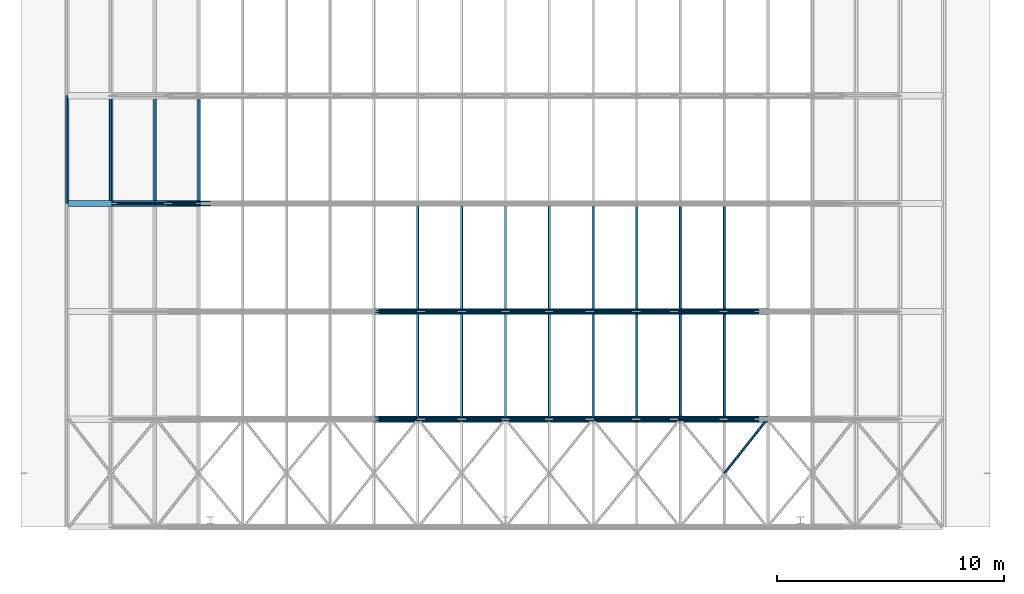
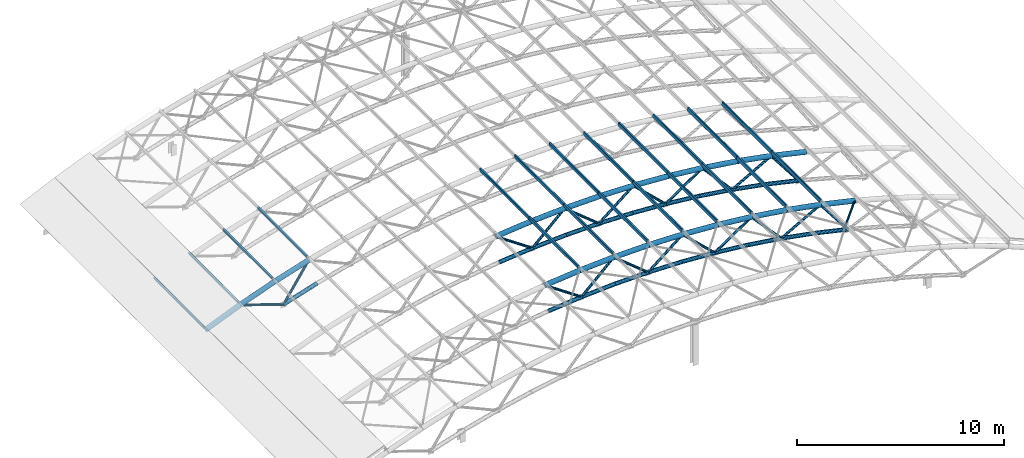
# One storey, part 3 of 22: 81 members.
"""IFC4 building model written with IfcOpenShell, lengths in metres."""

import ifcopenshell
import ifcopenshell.guid

model = None  # the IFC model being written
_history = None  # IfcOwnerHistory: only IFC2X3 demands one
_inside = {}  # id of a spatial element -> (the spatial element, [elements in it])
_under = {}  # id of a project, library or spatial element -> (it, [spatial elements below it])
_declared = {}  # id of a project -> (the project, [libraries it declares])
_typed = {}  # id of a type object -> (the type object, [elements of that type])
_made_of = {}  # id of a material, layer set ... -> (it, [elements and type objects made of it])


def new_model(schema):
    """Start an empty IFC model of exactly this schema.

    Asked for "IFC4X3", IfcOpenShell would pick the latest addendum, in which some entities
    have other attributes; the version numbers below select the first issue.
    IFC2X3 requires an IfcOwnerHistory on every rooted entity: one is made here for all.
    """
    global model, _history
    if schema == "IFC4X3":
        model = ifcopenshell.file(schema_version=(4, 3, 0, 0))
    else:
        model = ifcopenshell.file(schema=schema)
    _inside.clear()
    _under.clear()
    _declared.clear()
    _typed.clear()
    _made_of.clear()
    _history = None
    if model.schema == "IFC2X3":
        org = make("IfcOrganization", Name="unknown")
        user = make(
            "IfcPersonAndOrganization",
            ThePerson=make("IfcPerson", FamilyName="unknown"),
            TheOrganization=org,
        )
        app = make(
            "IfcApplication",
            ApplicationDeveloper=org,
            Version="unknown",
            ApplicationFullName="unknown",
            ApplicationIdentifier="unknown",
        )
        _history = make(
            "IfcOwnerHistory",
            OwningUser=user,
            OwningApplication=app,
            ChangeAction="ADDED",
            CreationDate=0,
        )
    return model


def make(cls, **values):
    """One entity of the class cls with the attributes given. An attribute that is None is left unset."""
    return model.create_entity(
        cls, **{name: value for name, value in values.items() if value is not None}
    )


def rooted(cls, **values):
    """An entity with a GlobalId (a new one), such as an element, a storey or a relation."""
    return make(cls, GlobalId=ifcopenshell.guid.new(), OwnerHistory=_history, **values)


def si_unit(unit_type, name, prefix=None):
    """IfcSIUnit, for example si_unit("LENGTHUNIT", "METRE", prefix="MILLI")."""
    return make("IfcSIUnit", UnitType=unit_type, Prefix=prefix, Name=name)


def assignment(units):
    """IfcUnitAssignment: the units of a project."""
    return None if units is None else make("IfcUnitAssignment", Units=units)


def point(xyz):
    """IfcCartesianPoint."""
    return None if xyz is None else make("IfcCartesianPoint", Coordinates=xyz)


def direction(xyz):
    """IfcDirection."""
    return None if xyz is None else make("IfcDirection", DirectionRatios=xyz)


def frame(location, z_axis=None, x_axis=None):
    """IfcAxis2Placement3D, a coordinate frame: its origin and axes. An axis left out is left unset."""
    return make(
        "IfcAxis2Placement3D",
        Location=point(location),
        Axis=direction(z_axis),
        RefDirection=direction(x_axis),
    )


def frame_2d(location, x_axis=None):
    """IfcAxis2Placement2D, a coordinate frame in the plane: its origin and x axis."""
    return make(
        "IfcAxis2Placement2D", Location=point(location), RefDirection=direction(x_axis)
    )


def origin():
    """The frame at (0, 0, 0) with its axes left unset."""
    return frame((0.0, 0.0, 0.0))


def origin_2d():
    """The frame at (0, 0) in the plane with its x axis left unset."""
    return frame_2d((0.0, 0.0))


def place(relative_to, where):
    """IfcLocalPlacement: puts the frame where relative to a parent placement (None: the world)."""
    return make(
        "IfcLocalPlacement", PlacementRelTo=relative_to, RelativePlacement=where
    )


def context(
    kind, dimensions, precision=None, world=None, true_north=None, identifier=None
):
    """IfcGeometricRepresentationContext, for example the 3D "Model" context."""
    return make(
        "IfcGeometricRepresentationContext",
        ContextIdentifier=identifier,
        ContextType=kind,
        CoordinateSpaceDimension=dimensions,
        Precision=precision,
        WorldCoordinateSystem=world,
        TrueNorth=true_north,
    )


def subcontext(parent, identifier, kind, view, scale=None):
    """IfcGeometricRepresentationSubContext, for example "Body" below "Model"."""
    return make(
        "IfcGeometricRepresentationSubContext",
        ContextIdentifier=identifier,
        ContextType=kind,
        ParentContext=parent,
        TargetScale=scale,
        TargetView=view,
    )


def project(units=None, contexts=None):
    """IfcProject with its units and contexts."""
    return rooted(
        "IfcProject",
        Name="project",
        RepresentationContexts=contexts,
        UnitsInContext=assignment(units),
    )


def spatial(cls, under=None, at=None, **own):
    """A site, building, storey or space (cls), placed at a placement, below another one or the project."""
    s = rooted(cls, ObjectPlacement=at, **own)
    if under is not None:
        _under.setdefault(under.id(), (under, []))[1].append(s)
    return s


def profile(cls, at=None, kind="AREA", **sizes):
    """A parametric profile (cls). Its sizes go by their IFC names, for example OverallWidth=200.0."""
    return make(cls, ProfileType=kind, Position=at, **sizes)


def hollow_rectangle(**sizes):
    """IfcRectangleHollowProfileDef."""
    return profile("IfcRectangleHollowProfileDef", **sizes)


def hollow_circle(**sizes):
    """IfcCircleHollowProfileDef."""
    return profile("IfcCircleHollowProfileDef", **sizes)


def extrude(swept, where, along, depth):
    """IfcExtrudedAreaSolid: the profile swept, set in the frame where, extruded along a direction by depth."""
    return make(
        "IfcExtrudedAreaSolid",
        SweptArea=swept,
        Position=where,
        ExtrudedDirection=direction(along),
        Depth=depth,
    )


def shape(context_of_items, identifier, shape_type, items):
    """IfcShapeRepresentation: the items that make up one representation, for example the "Body"."""
    return make(
        "IfcShapeRepresentation",
        ContextOfItems=context_of_items,
        RepresentationIdentifier=identifier,
        RepresentationType=shape_type,
        Items=items,
    )


def material(Name=None, Category=None):
    """IfcMaterial."""
    return make("IfcMaterial", Name=Name, Category=Category)


def material_profile(
    of_material, cross_section, Name=None, Category=None, Priority=None
):
    """IfcMaterialProfile: a cross section and its material."""
    return make(
        "IfcMaterialProfile",
        Name=Name,
        Material=of_material,
        Profile=cross_section,
        Priority=Priority,
        Category=Category,
    )


def profile_set(profiles, Name=None, composite=None):
    """IfcMaterialProfileSet."""
    return make(
        "IfcMaterialProfileSet",
        Name=Name,
        MaterialProfiles=profiles,
        CompositeProfile=composite,
    )


def made_of(thing, what):
    """Note that an element or type object is made of a material, layer set ...; save() writes the relation."""
    if what is not None:
        _made_of.setdefault(what.id(), (what, []))[1].append(thing)
    return thing


def type_object(cls, material=None, **own):
    """A type object (cls), such as IfcWallType, which elements share."""
    return made_of(rooted(cls, **own), material)


def element(
    cls,
    number,
    at=None,
    inside=None,
    cuts=None,
    type_object=None,
    material=None,
    context=None,
    identifier="Body",
    shape_type=None,
    held_by="IfcProductDefinitionShape",
    body=None,
    shapes=None,
    **own,
):
    """One element of the class cls, such as IfcWall. Its Tag is "e" and its number.

    at: its placement. inside: the storey or other place that contains it. cuts: it is an
    opening in that element (IfcRelVoidsElement). A single representation is given by context,
    identifier, shape_type and body (its items); several are given by shapes. held_by: the class
    of the entity that holds the representations. save() writes the other relations.
    """
    e = rooted(cls, Tag="e%d" % number, ObjectPlacement=at, **own)
    if body is not None:
        shapes = [shape(context, identifier, shape_type, body)]
    if shapes is not None:
        e.Representation = make(held_by, Representations=shapes)
    if inside is not None:
        _inside.setdefault(inside.id(), (inside, []))[1].append(e)
    if cuts is not None:
        rooted(
            "IfcRelVoidsElement", RelatingBuildingElement=cuts, RelatedOpeningElement=e
        )
    if type_object is not None:
        _typed.setdefault(type_object.id(), (type_object, []))[1].append(e)
    return made_of(e, material)


def aggregate(whole, parts):
    """IfcRelAggregates: a whole, such as a stair, and the parts it consists of."""
    return rooted("IfcRelAggregates", RelatingObject=whole, RelatedObjects=parts)


def save(model, path):
    """Write the relations noted so far, then the file.

    IfcRelAggregates (storeys below a building ...), IfcRelContainedInSpatialStructure (elements
    in a storey), IfcRelDefinesByType, IfcRelAssociatesMaterial and IfcRelDeclares: one each for
    every whole, place, type object, material and project.
    """
    for whole, parts in _under.values():
        aggregate(whole, parts)
    for where, things in _inside.values():
        rooted(
            "IfcRelContainedInSpatialStructure",
            RelatedElements=things,
            RelatingStructure=where,
        )
    for kind, things in _typed.values():
        rooted("IfcRelDefinesByType", RelatedObjects=things, RelatingType=kind)
    for what, things in _made_of.values():
        rooted("IfcRelAssociatesMaterial", RelatedObjects=things, RelatingMaterial=what)
    for by, libraries in _declared.values():
        rooted("IfcRelDeclares", RelatingContext=by, RelatedDefinitions=libraries)
    model.write(path)


model = new_model("IFC4")

# Units and contexts
model_context = context("Model", 3, precision=1e-05, world=origin(), true_north=direction((0.0, 1.0)))
body_context = subcontext(model_context, "Body", "Model", "MODEL_VIEW")
ifc_project = project(units=[si_unit("LENGTHUNIT", "METRE"), si_unit("AREAUNIT", "SQUARE_METRE"), si_unit("VOLUMEUNIT", "CUBIC_METRE"), si_unit("PLANEANGLEUNIT", "RADIAN"), si_unit("MASSUNIT", "GRAM", prefix="KILO")], contexts=[model_context])

# Site, building, storey
site_placement = place(None, origin())
site = spatial("IfcSite", under=ifc_project, at=site_placement, CompositionType="ELEMENT")
building_placement = place(site_placement, origin())
building = spatial("IfcBuilding", under=site, at=building_placement, Name="Elbe Cascade School", CompositionType="ELEMENT")
storey_placement = place(building_placement, frame((0.0, 0.0, 18.89990234375)))
storey = spatial("IfcBuildingStorey", under=building, at=storey_placement, Name="R05", CompositionType="ELEMENT", Elevation=18.89990234375)

# Members
ifc_material_1 = material(Name="Steel S355J2H", Category="steel")
ifc_material_profile_1 = material_profile(ifc_material_1, hollow_circle(Radius=0.109619140625, WallThickness=0.012451171875, at=origin_2d()), Name="CHS 219.1x12.5")
ifc_profile_set_1 = profile_set([ifc_material_profile_1], Name="Steel S355J2H")
member_type_1 = type_object("IfcMemberType", Name="Hall rib bottom chord CHS 219.1x12.5", PredefinedType="CHORD", material=ifc_profile_set_1)
member_1_placement = place(storey_placement, frame((28.428466796875, 45.75, 2.355224609375), z_axis=(0.994942207611, 0.0, 0.100449009523), x_axis=(0.0, 1.0, 0.0)))
element("IfcMember", 1, at=member_1_placement, inside=storey, type_object=member_type_1, Name="Hall rib bottom chord CHS 219.1x12.5 M3", PredefinedType="CHORD", context=body_context, shape_type="SweptSolid", body=[
    extrude(hollow_circle(Radius=0.109619140625, WallThickness=0.012451171875, at=origin_2d()), origin(), (0.0, 0.0, 1.0), 1.86669921875),
])
member_2_placement = place(storey_placement, frame((30.28564453125, 45.75, 2.542724609375), z_axis=(0.998184548597, 0.0, 0.060229618484), x_axis=(0.0, 1.0, 0.0)))
element("IfcMember", 2, at=member_2_placement, inside=storey, type_object=member_type_1, Name="Hall rib bottom chord CHS 219.1x12.5 M3", PredefinedType="CHORD", context=body_context, shape_type="SweptSolid", body=[
    extrude(hollow_circle(Radius=0.109619140625, WallThickness=0.012451171875, at=origin_2d()), origin(), (0.0, 0.0, 1.0), 1.860595703125),
])
for number, where, z_axis, x_axis, name in (
    (3, (32.142822265625, 45.75, 2.65478515625), (0.999797793882, 0.0, 0.020108986784), (0.0, 1.0, 0.0), "Hall rib bottom chord CHS 219.1x12.5 M3"),
    (4, (34.0, 45.75, 2.692138671875), (0.999797793882, 0.0, -0.020108986784), (0.0, 1.0, 0.0), "Hall rib bottom chord CHS 219.1x12.5 M3"),
):
    element("IfcMember", number, at=place(storey_placement, frame(where, z_axis=z_axis, x_axis=x_axis)), inside=storey, type_object=member_type_1, Name=name, PredefinedType="CHORD", context=body_context, shape_type="SweptSolid", body=[
        extrude(hollow_circle(Radius=0.109619140625, WallThickness=0.012451171875, at=origin_2d()), origin(), (0.0, 0.0, 1.0), 1.857666015625),
    ])
member_3_placement = place(storey_placement, frame((35.857177734375, 45.75, 2.65478515625), z_axis=(0.998184548597, 0.0, -0.060229618484), x_axis=(0.0, 1.0, 0.0)))
element("IfcMember", 5, at=member_3_placement, inside=storey, type_object=member_type_1, Name="Hall rib bottom chord CHS 219.1x12.5 M3", PredefinedType="CHORD", context=body_context, shape_type="SweptSolid", body=[
    extrude(hollow_circle(Radius=0.109619140625, WallThickness=0.012451171875, at=origin_2d()), origin(), (0.0, 0.0, 1.0), 1.860595703125),
])
member_4_placement = place(storey_placement, frame((37.71435546875, 45.75, 2.542724609375), z_axis=(0.994942207611, 0.0, -0.100449009523), x_axis=(0.0, 1.0, 0.0)))
element("IfcMember", 6, at=member_4_placement, inside=storey, type_object=member_type_1, Name="Hall rib bottom chord CHS 219.1x12.5 M3", PredefinedType="CHORD", context=body_context, shape_type="SweptSolid", body=[
    extrude(hollow_circle(Radius=0.109619140625, WallThickness=0.012451171875, at=origin_2d()), origin(), (0.0, 0.0, 1.0), 1.86669921875),
])
member_5_placement = place(storey_placement, frame((39.571533203125, 45.75, 2.355224609375), z_axis=(0.990068894629, 0.0, -0.140583014225), x_axis=(0.0, 1.0, 0.0)))
element("IfcMember", 7, at=member_5_placement, inside=storey, type_object=member_type_1, Name="Hall rib bottom chord CHS 219.1x12.5 M3", PredefinedType="CHORD", context=body_context, shape_type="SweptSolid", body=[
    extrude(hollow_circle(Radius=0.109619140625, WallThickness=0.012451171875, at=origin_2d()), origin(), (0.0, 0.0, 1.0), 1.87548828125),
])
member_6_placement = place(storey_placement, frame((41.428466796875, 45.75, 2.091552734375), z_axis=(0.9835518543, 0.0, -0.180625994539), x_axis=(0.0, 1.0, 0.0)))
element("IfcMember", 8, at=member_6_placement, inside=storey, type_object=member_type_1, Name="Hall rib bottom chord CHS 219.1x12.5 M3", PredefinedType="CHORD", context=body_context, shape_type="SweptSolid", body=[
    extrude(hollow_circle(Radius=0.109619140625, WallThickness=0.012451171875, at=origin_2d()), origin(), (0.0, 0.0, 1.0), 1.88818359375),
])
member_7_placement = place(storey_placement, frame((43.28564453125, 45.75, 1.75048828125), z_axis=(0.975295060536, 0.0, -0.220906190259), x_axis=(0.0, 1.0, 0.0)))
element("IfcMember", 9, at=member_7_placement, inside=storey, type_object=member_type_1, Name="Hall rib bottom chord CHS 219.1x12.5 M3", PredefinedType="CHORD", context=body_context, shape_type="SweptSolid", body=[
    extrude(hollow_circle(Radius=0.109619140625, WallThickness=0.012451171875, at=origin_2d()), origin(), (0.0, 0.0, 1.0), 1.904296875),
])
member_8_placement = place(storey_placement, frame((28.428466796875, 50.5, 2.355224609375), z_axis=(0.994942207611, 0.0, 0.100449009523), x_axis=(0.0, 1.0, 0.0)))
element("IfcMember", 10, at=member_8_placement, inside=storey, type_object=member_type_1, Name="Hall rib bottom chord CHS 219.1x12.5 M3", PredefinedType="CHORD", context=body_context, shape_type="SweptSolid", body=[
    extrude(hollow_circle(Radius=0.109619140625, WallThickness=0.012451171875, at=origin_2d()), origin(), (0.0, 0.0, 1.0), 1.86669921875),
])
member_9_placement = place(storey_placement, frame((30.28564453125, 50.5, 2.542724609375), z_axis=(0.998184548597, 0.0, 0.060229618484), x_axis=(0.0, 1.0, 0.0)))
element("IfcMember", 11, at=member_9_placement, inside=storey, type_object=member_type_1, Name="Hall rib bottom chord CHS 219.1x12.5 M3", PredefinedType="CHORD", context=body_context, shape_type="SweptSolid", body=[
    extrude(hollow_circle(Radius=0.109619140625, WallThickness=0.012451171875, at=origin_2d()), origin(), (0.0, 0.0, 1.0), 1.860595703125),
])
for number, where, z_axis, x_axis, name in (
    (12, (32.142822265625, 50.5, 2.65478515625), (0.999797793882, 0.0, 0.020108986784), (0.0, 1.0, 0.0), "Hall rib bottom chord CHS 219.1x12.5 M3"),
    (13, (34.0, 50.5, 2.692138671875), (0.999797793882, 0.0, -0.020108986784), (0.0, 1.0, 0.0), "Hall rib bottom chord CHS 219.1x12.5 M3"),
):
    element("IfcMember", number, at=place(storey_placement, frame(where, z_axis=z_axis, x_axis=x_axis)), inside=storey, type_object=member_type_1, Name=name, PredefinedType="CHORD", context=body_context, shape_type="SweptSolid", body=[
        extrude(hollow_circle(Radius=0.109619140625, WallThickness=0.012451171875, at=origin_2d()), origin(), (0.0, 0.0, 1.0), 1.857666015625),
    ])
member_10_placement = place(storey_placement, frame((35.857177734375, 50.5, 2.65478515625), z_axis=(0.998184548597, 0.0, -0.060229618484), x_axis=(0.0, 1.0, 0.0)))
element("IfcMember", 14, at=member_10_placement, inside=storey, type_object=member_type_1, Name="Hall rib bottom chord CHS 219.1x12.5 M3", PredefinedType="CHORD", context=body_context, shape_type="SweptSolid", body=[
    extrude(hollow_circle(Radius=0.109619140625, WallThickness=0.012451171875, at=origin_2d()), origin(), (0.0, 0.0, 1.0), 1.860595703125),
])
member_11_placement = place(storey_placement, frame((37.71435546875, 50.5, 2.542724609375), z_axis=(0.994942207611, 0.0, -0.100449009523), x_axis=(0.0, 1.0, 0.0)))
element("IfcMember", 15, at=member_11_placement, inside=storey, type_object=member_type_1, Name="Hall rib bottom chord CHS 219.1x12.5 M3", PredefinedType="CHORD", context=body_context, shape_type="SweptSolid", body=[
    extrude(hollow_circle(Radius=0.109619140625, WallThickness=0.012451171875, at=origin_2d()), origin(), (0.0, 0.0, 1.0), 1.86669921875),
])
member_12_placement = place(storey_placement, frame((39.571533203125, 50.5, 2.355224609375), z_axis=(0.990068894629, 0.0, -0.140583014225), x_axis=(0.0, 1.0, 0.0)))
element("IfcMember", 16, at=member_12_placement, inside=storey, type_object=member_type_1, Name="Hall rib bottom chord CHS 219.1x12.5 M3", PredefinedType="CHORD", context=body_context, shape_type="SweptSolid", body=[
    extrude(hollow_circle(Radius=0.109619140625, WallThickness=0.012451171875, at=origin_2d()), origin(), (0.0, 0.0, 1.0), 1.87548828125),
])
member_13_placement = place(storey_placement, frame((41.428466796875, 50.5, 2.091552734375), z_axis=(0.9835518543, 0.0, -0.180625994539), x_axis=(0.0, 1.0, 0.0)))
element("IfcMember", 17, at=member_13_placement, inside=storey, type_object=member_type_1, Name="Hall rib bottom chord CHS 219.1x12.5 M3", PredefinedType="CHORD", context=body_context, shape_type="SweptSolid", body=[
    extrude(hollow_circle(Radius=0.109619140625, WallThickness=0.012451171875, at=origin_2d()), origin(), (0.0, 0.0, 1.0), 1.88818359375),
])
member_14_placement = place(storey_placement, frame((43.28564453125, 50.5, 1.75048828125), z_axis=(0.975295060536, 0.0, -0.220906190259), x_axis=(0.0, 1.0, 0.0)))
element("IfcMember", 18, at=member_14_placement, inside=storey, type_object=member_type_1, Name="Hall rib bottom chord CHS 219.1x12.5 M3", PredefinedType="CHORD", context=body_context, shape_type="SweptSolid", body=[
    extrude(hollow_circle(Radius=0.109619140625, WallThickness=0.012451171875, at=origin_2d()), origin(), (0.0, 0.0, 1.0), 1.904296875),
])
member_15_placement = place(storey_placement, frame((19.142822265625, 55.25, 0.240966796875), z_axis=(0.953554243511, 0.0, 0.301221354957), x_axis=(0.0, 1.0, 0.0)))
element("IfcMember", 19, at=member_15_placement, inside=storey, type_object=member_type_1, Name="Hall rib bottom chord CHS 219.1x12.5 M3", PredefinedType="CHORD", context=body_context, shape_type="SweptSolid", body=[
    extrude(hollow_circle(Radius=0.109619140625, WallThickness=0.012451171875, at=origin_2d()), origin(), (0.0, 0.0, 1.0), 1.94775390625),
])
ifc_material_2 = material(Name="Steel S355J2H", Category="steel")
ifc_material_profile_2 = material_profile(ifc_material_2, hollow_circle(Radius=0.136474609375, WallThickness=0.012451171875, at=origin_2d()), Name="CHS 273x12.5")
ifc_profile_set_2 = profile_set([ifc_material_profile_2], Name="Steel S355J2H")
member_type_2 = type_object("IfcMemberType", Name="Hall rib top chord CHS 273x12.5", PredefinedType="CHORD", material=ifc_profile_set_2)
member_16_placement = place(storey_placement, frame((28.23583984375, 45.75, 3.943603515625), z_axis=(0.994936550575, 0.0, 0.100505026392), x_axis=(0.0, 1.0, 0.0)))
element("IfcMember", 20, at=member_16_placement, inside=storey, type_object=member_type_2, Name="Hall rib top chord CHS 273x12.5 M2", PredefinedType="CHORD", context=body_context, shape_type="SweptSolid", body=[
    extrude(hollow_circle(Radius=0.136474609375, WallThickness=0.012451171875, at=origin_2d()), origin(), (0.0, 0.0, 1.0), 1.93115234375),
])
member_17_placement = place(storey_placement, frame((30.1572265625, 45.75, 4.1376953125), z_axis=(0.998183551067, 0.0, 0.060246148254), x_axis=(0.0, 1.0, 0.0)))
element("IfcMember", 21, at=member_17_placement, inside=storey, type_object=member_type_2, Name="Hall rib top chord CHS 273x12.5 M2", PredefinedType="CHORD", context=body_context, shape_type="SweptSolid", body=[
    extrude(hollow_circle(Radius=0.136474609375, WallThickness=0.012451171875, at=origin_2d()), origin(), (0.0, 0.0, 1.0), 1.9248046875),
])
for number, where, z_axis, x_axis, name in (
    (22, (32.07861328125, 45.75, 4.253662109375), (0.999798533216, 0.0, 0.020072194187), (0.0, 1.0, 0.0), "Hall rib top chord CHS 273x12.5 M2"),
    (23, (34.0, 45.75, 4.292236328125), (0.999798533216, 0.0, -0.020072194187), (0.0, 1.0, 0.0), "Hall rib top chord CHS 273x12.5 M2"),
):
    element("IfcMember", number, at=place(storey_placement, frame(where, z_axis=z_axis, x_axis=x_axis)), inside=storey, type_object=member_type_2, Name=name, PredefinedType="CHORD", context=body_context, shape_type="SweptSolid", body=[
        extrude(hollow_circle(Radius=0.136474609375, WallThickness=0.012451171875, at=origin_2d()), origin(), (0.0, 0.0, 1.0), 1.921875),
    ])
member_18_placement = place(storey_placement, frame((35.92138671875, 45.75, 4.253662109375), z_axis=(0.998183551067, 0.0, -0.060246148254), x_axis=(0.0, 1.0, 0.0)))
element("IfcMember", 24, at=member_18_placement, inside=storey, type_object=member_type_2, Name="Hall rib top chord CHS 273x12.5 M2", PredefinedType="CHORD", context=body_context, shape_type="SweptSolid", body=[
    extrude(hollow_circle(Radius=0.136474609375, WallThickness=0.012451171875, at=origin_2d()), origin(), (0.0, 0.0, 1.0), 1.9248046875),
])
member_19_placement = place(storey_placement, frame((37.8427734375, 45.75, 4.1376953125), z_axis=(0.994936550575, 0.0, -0.100505026392), x_axis=(0.0, 1.0, 0.0)))
element("IfcMember", 25, at=member_19_placement, inside=storey, type_object=member_type_2, Name="Hall rib top chord CHS 273x12.5 M2", PredefinedType="CHORD", context=body_context, shape_type="SweptSolid", body=[
    extrude(hollow_circle(Radius=0.136474609375, WallThickness=0.012451171875, at=origin_2d()), origin(), (0.0, 0.0, 1.0), 1.93115234375),
])
member_20_placement = place(storey_placement, frame((39.76416015625, 45.75, 3.943603515625), z_axis=(0.990077406218, 0.0, -0.140523057528), x_axis=(0.0, 1.0, 0.0)))
element("IfcMember", 26, at=member_20_placement, inside=storey, type_object=member_type_2, Name="Hall rib top chord CHS 273x12.5 M2", PredefinedType="CHORD", context=body_context, shape_type="SweptSolid", body=[
    extrude(hollow_circle(Radius=0.136474609375, WallThickness=0.012451171875, at=origin_2d()), origin(), (0.0, 0.0, 1.0), 1.940673828125),
])
member_21_placement = place(storey_placement, frame((41.685546875, 45.75, 3.6708984375), z_axis=(0.983536288489, 0.0, -0.180710733565), x_axis=(0.0, 1.0, 0.0)))
element("IfcMember", 27, at=member_21_placement, inside=storey, type_object=member_type_2, Name="Hall rib top chord CHS 273x12.5 M2", PredefinedType="CHORD", context=body_context, shape_type="SweptSolid", body=[
    extrude(hollow_circle(Radius=0.136474609375, WallThickness=0.012451171875, at=origin_2d()), origin(), (0.0, 0.0, 1.0), 1.95361328125),
])
member_22_placement = place(storey_placement, frame((43.60693359375, 45.75, 3.31787109375), z_axis=(0.975283578549, 0.0, -0.220956876817), x_axis=(0.0, 1.0, 0.0)))
element("IfcMember", 28, at=member_22_placement, inside=storey, type_object=member_type_2, Name="Hall rib top chord CHS 273x12.5 M2", PredefinedType="CHORD", context=body_context, shape_type="SweptSolid", body=[
    extrude(hollow_circle(Radius=0.136474609375, WallThickness=0.012451171875, at=origin_2d()), origin(), (0.0, 0.0, 1.0), 1.969970703125),
])
member_23_placement = place(storey_placement, frame((28.23583984375, 50.5, 3.943603515625), z_axis=(0.994936550575, 0.0, 0.100505026392), x_axis=(0.0, 1.0, 0.0)))
element("IfcMember", 29, at=member_23_placement, inside=storey, type_object=member_type_2, Name="Hall rib top chord CHS 273x12.5 M2", PredefinedType="CHORD", context=body_context, shape_type="SweptSolid", body=[
    extrude(hollow_circle(Radius=0.136474609375, WallThickness=0.012451171875, at=origin_2d()), origin(), (0.0, 0.0, 1.0), 1.93115234375),
])
member_24_placement = place(storey_placement, frame((30.1572265625, 50.5, 4.1376953125), z_axis=(0.998183551067, 0.0, 0.060246148254), x_axis=(0.0, 1.0, 0.0)))
element("IfcMember", 30, at=member_24_placement, inside=storey, type_object=member_type_2, Name="Hall rib top chord CHS 273x12.5 M2", PredefinedType="CHORD", context=body_context, shape_type="SweptSolid", body=[
    extrude(hollow_circle(Radius=0.136474609375, WallThickness=0.012451171875, at=origin_2d()), origin(), (0.0, 0.0, 1.0), 1.9248046875),
])
for number, where, z_axis, x_axis, name in (
    (31, (32.07861328125, 50.5, 4.253662109375), (0.999798533216, 0.0, 0.020072194187), (0.0, 1.0, 0.0), "Hall rib top chord CHS 273x12.5 M2"),
    (32, (34.0, 50.5, 4.292236328125), (0.999798533216, 0.0, -0.020072194187), (0.0, 1.0, 0.0), "Hall rib top chord CHS 273x12.5 M2"),
):
    element("IfcMember", number, at=place(storey_placement, frame(where, z_axis=z_axis, x_axis=x_axis)), inside=storey, type_object=member_type_2, Name=name, PredefinedType="CHORD", context=body_context, shape_type="SweptSolid", body=[
        extrude(hollow_circle(Radius=0.136474609375, WallThickness=0.012451171875, at=origin_2d()), origin(), (0.0, 0.0, 1.0), 1.921875),
    ])
member_25_placement = place(storey_placement, frame((35.92138671875, 50.5, 4.253662109375), z_axis=(0.998183551067, 0.0, -0.060246148254), x_axis=(0.0, 1.0, 0.0)))
element("IfcMember", 33, at=member_25_placement, inside=storey, type_object=member_type_2, Name="Hall rib top chord CHS 273x12.5 M2", PredefinedType="CHORD", context=body_context, shape_type="SweptSolid", body=[
    extrude(hollow_circle(Radius=0.136474609375, WallThickness=0.012451171875, at=origin_2d()), origin(), (0.0, 0.0, 1.0), 1.9248046875),
])
member_26_placement = place(storey_placement, frame((37.8427734375, 50.5, 4.1376953125), z_axis=(0.994936550575, 0.0, -0.100505026392), x_axis=(0.0, 1.0, 0.0)))
element("IfcMember", 34, at=member_26_placement, inside=storey, type_object=member_type_2, Name="Hall rib top chord CHS 273x12.5 M2", PredefinedType="CHORD", context=body_context, shape_type="SweptSolid", body=[
    extrude(hollow_circle(Radius=0.136474609375, WallThickness=0.012451171875, at=origin_2d()), origin(), (0.0, 0.0, 1.0), 1.93115234375),
])
member_27_placement = place(storey_placement, frame((39.76416015625, 50.5, 3.943603515625), z_axis=(0.990077406218, 0.0, -0.140523057528), x_axis=(0.0, 1.0, 0.0)))
element("IfcMember", 35, at=member_27_placement, inside=storey, type_object=member_type_2, Name="Hall rib top chord CHS 273x12.5 M2", PredefinedType="CHORD", context=body_context, shape_type="SweptSolid", body=[
    extrude(hollow_circle(Radius=0.136474609375, WallThickness=0.012451171875, at=origin_2d()), origin(), (0.0, 0.0, 1.0), 1.940673828125),
])
member_28_placement = place(storey_placement, frame((41.685546875, 50.5, 3.6708984375), z_axis=(0.983536288489, 0.0, -0.180710733565), x_axis=(0.0, 1.0, 0.0)))
element("IfcMember", 36, at=member_28_placement, inside=storey, type_object=member_type_2, Name="Hall rib top chord CHS 273x12.5 M2", PredefinedType="CHORD", context=body_context, shape_type="SweptSolid", body=[
    extrude(hollow_circle(Radius=0.136474609375, WallThickness=0.012451171875, at=origin_2d()), origin(), (0.0, 0.0, 1.0), 1.95361328125),
])
member_29_placement = place(storey_placement, frame((43.60693359375, 50.5, 3.31787109375), z_axis=(0.975283578549, 0.0, -0.220956876817), x_axis=(0.0, 1.0, 0.0)))
element("IfcMember", 37, at=member_29_placement, inside=storey, type_object=member_type_2, Name="Hall rib top chord CHS 273x12.5 M2", PredefinedType="CHORD", context=body_context, shape_type="SweptSolid", body=[
    extrude(hollow_circle(Radius=0.136474609375, WallThickness=0.012451171875, at=origin_2d()), origin(), (0.0, 0.0, 1.0), 1.969970703125),
])
member_30_placement = place(storey_placement, frame((14.7861328125, 55.25, 0.26513671875), z_axis=(0.924371303733, 0.0, 0.381494027259), x_axis=(0.0, 1.0, 0.0)))
element("IfcMember", 38, at=member_30_placement, inside=storey, type_object=member_type_2, Name="Hall rib top chord CHS 273x12.5 M2", PredefinedType="CHORD", context=body_context, shape_type="SweptSolid", body=[
    extrude(hollow_circle(Radius=0.136474609375, WallThickness=0.012451171875, at=origin_2d()), origin(), (0.0, 0.0, 1.0), 2.07861328125),
])
member_31_placement = place(storey_placement, frame((16.70751953125, 55.25, 1.05810546875), z_axis=(0.939901472249, 0.0, 0.341445782612), x_axis=(0.0, 1.0, 0.0)))
element("IfcMember", 39, at=member_31_placement, inside=storey, type_object=member_type_2, Name="Hall rib top chord CHS 273x12.5 M2", PredefinedType="CHORD", context=body_context, shape_type="SweptSolid", body=[
    extrude(hollow_circle(Radius=0.136474609375, WallThickness=0.012451171875, at=origin_2d()), origin(), (0.0, 0.0, 1.0), 2.044189453125),
])
member_32_placement = place(storey_placement, frame((18.62890625, 55.25, 1.756103515625), z_axis=(0.953557025061, 0.0, 0.301212549467), x_axis=(0.0, 1.0, 0.0)))
element("IfcMember", 40, at=member_32_placement, inside=storey, type_object=member_type_2, Name="Hall rib top chord CHS 273x12.5 M2", PredefinedType="CHORD", context=body_context, shape_type="SweptSolid", body=[
    extrude(hollow_circle(Radius=0.136474609375, WallThickness=0.012451171875, at=origin_2d()), origin(), (0.0, 0.0, 1.0), 2.014892578125),
])
ifc_material_3 = material(Name="Steel S355J2H", Category="steel")
ifc_material_profile_3 = material_profile(ifc_material_3, hollow_circle(Radius=0.06982421875, WallThickness=0.008056640625, at=origin_2d()), Name="CHS 139.7x8")
ifc_profile_set_3 = profile_set([ifc_material_profile_3], Name="Steel S355J2H")
member_type_3 = type_object("IfcMemberType", Name="Hall rib web CHS 139.7x8", PredefinedType="BRACE", material=ifc_profile_set_3)
member_33_placement = place(storey_placement, frame((28.23583984375, 45.75, 3.943603515625), z_axis=(0.825611048999, 0.0, -0.564239661643), x_axis=(0.0, 1.0, 0.0)))
element("IfcMember", 41, at=member_33_placement, inside=storey, type_object=member_type_3, Name="Hall rib web CHS 139.7x8 M4", PredefinedType="BRACE", context=body_context, shape_type="SweptSolid", body=[
    extrude(hollow_circle(Radius=0.06982421875, WallThickness=0.008056640625, at=origin_2d()), origin(), (0.0, 0.0, 1.0), 2.482666015625),
])
member_34_placement = place(storey_placement, frame((30.28564453125, 45.75, 2.542724609375), z_axis=(0.723462885485, 0.0, 0.690363276345), x_axis=(0.0, 1.0, 0.0)))
element("IfcMember", 42, at=member_34_placement, inside=storey, type_object=member_type_3, Name="Hall rib web CHS 139.7x8 M4", PredefinedType="BRACE", context=body_context, shape_type="SweptSolid", body=[
    extrude(hollow_circle(Radius=0.06982421875, WallThickness=0.008056640625, at=origin_2d()), origin(), (0.0, 0.0, 1.0), 2.478271484375),
])
for number, where, z_axis, x_axis, name in (
    (43, (32.07861328125, 45.75, 4.253662109375), (0.776035572701, 0.0, -0.630689138881), (0.0, 1.0, 0.0), "Hall rib web CHS 139.7x8 M4"),
    (44, (34.0, 45.75, 2.692138671875), (0.776035572701, 0.0, 0.630689138881), (0.0, 1.0, 0.0), "Hall rib web CHS 139.7x8 M4"),
):
    element("IfcMember", number, at=place(storey_placement, frame(where, z_axis=z_axis, x_axis=x_axis)), inside=storey, type_object=member_type_3, Name=name, PredefinedType="BRACE", context=body_context, shape_type="SweptSolid", body=[
        extrude(hollow_circle(Radius=0.06982421875, WallThickness=0.008056640625, at=origin_2d()), origin(), (0.0, 0.0, 1.0), 2.475830078125),
    ])
member_35_placement = place(storey_placement, frame((35.92138671875, 45.75, 4.253662109375), z_axis=(0.723462885485, 0.0, -0.690363276345), x_axis=(0.0, 1.0, 0.0)))
element("IfcMember", 45, at=member_35_placement, inside=storey, type_object=member_type_3, Name="Hall rib web CHS 139.7x8 M4", PredefinedType="BRACE", context=body_context, shape_type="SweptSolid", body=[
    extrude(hollow_circle(Radius=0.06982421875, WallThickness=0.008056640625, at=origin_2d()), origin(), (0.0, 0.0, 1.0), 2.478271484375),
])
member_36_placement = place(storey_placement, frame((37.71435546875, 45.75, 2.542724609375), z_axis=(0.825611048999, 0.0, 0.564239661643), x_axis=(0.0, 1.0, 0.0)))
element("IfcMember", 46, at=member_36_placement, inside=storey, type_object=member_type_3, Name="Hall rib web CHS 139.7x8 M4", PredefinedType="BRACE", context=body_context, shape_type="SweptSolid", body=[
    extrude(hollow_circle(Radius=0.06982421875, WallThickness=0.008056640625, at=origin_2d()), origin(), (0.0, 0.0, 1.0), 2.482666015625),
])
member_37_placement = place(storey_placement, frame((39.76416015625, 45.75, 3.943603515625), z_axis=(0.668401163046, 0.0, -0.743800971523), x_axis=(0.0, 1.0, 0.0)))
element("IfcMember", 47, at=member_37_placement, inside=storey, type_object=member_type_3, Name="Hall rib web CHS 139.7x8 M4", PredefinedType="BRACE", context=body_context, shape_type="SweptSolid", body=[
    extrude(hollow_circle(Radius=0.06982421875, WallThickness=0.008056640625, at=origin_2d()), origin(), (0.0, 0.0, 1.0), 2.489990234375),
])
member_38_placement = place(storey_placement, frame((41.428466796875, 45.75, 2.091552734375), z_axis=(0.871416395959, 0.0, 0.49054404986), x_axis=(0.0, 1.0, 0.0)))
element("IfcMember", 48, at=member_38_placement, inside=storey, type_object=member_type_3, Name="Hall rib web CHS 139.7x8 M4", PredefinedType="BRACE", context=body_context, shape_type="SweptSolid", body=[
    extrude(hollow_circle(Radius=0.06982421875, WallThickness=0.008056640625, at=origin_2d()), origin(), (0.0, 0.0, 1.0), 2.5),
])
member_39_placement = place(storey_placement, frame((43.60693359375, 45.75, 3.31787109375), z_axis=(0.611367288824, 0.0, -0.791346977094), x_axis=(0.0, 1.0, 0.0)))
element("IfcMember", 49, at=member_39_placement, inside=storey, type_object=member_type_3, Name="Hall rib web CHS 139.7x8 M4", PredefinedType="BRACE", context=body_context, shape_type="SweptSolid", body=[
    extrude(hollow_circle(Radius=0.06982421875, WallThickness=0.008056640625, at=origin_2d()), origin(), (0.0, 0.0, 1.0), 2.51220703125),
])
member_40_placement = place(storey_placement, frame((28.23583984375, 50.5, 3.943603515625), z_axis=(0.825611048999, 0.0, -0.564239661643), x_axis=(0.0, 1.0, 0.0)))
element("IfcMember", 50, at=member_40_placement, inside=storey, type_object=member_type_3, Name="Hall rib web CHS 139.7x8 M4", PredefinedType="BRACE", context=body_context, shape_type="SweptSolid", body=[
    extrude(hollow_circle(Radius=0.06982421875, WallThickness=0.008056640625, at=origin_2d()), origin(), (0.0, 0.0, 1.0), 2.482666015625),
])
member_41_placement = place(storey_placement, frame((30.28564453125, 50.5, 2.542724609375), z_axis=(0.723462885485, 0.0, 0.690363276345), x_axis=(0.0, 1.0, 0.0)))
element("IfcMember", 51, at=member_41_placement, inside=storey, type_object=member_type_3, Name="Hall rib web CHS 139.7x8 M4", PredefinedType="BRACE", context=body_context, shape_type="SweptSolid", body=[
    extrude(hollow_circle(Radius=0.06982421875, WallThickness=0.008056640625, at=origin_2d()), origin(), (0.0, 0.0, 1.0), 2.478271484375),
])
for number, where, z_axis, x_axis, name in (
    (52, (32.07861328125, 50.5, 4.253662109375), (0.776035572701, 0.0, -0.630689138881), (0.0, 1.0, 0.0), "Hall rib web CHS 139.7x8 M4"),
    (53, (34.0, 50.5, 2.692138671875), (0.776035572701, 0.0, 0.630689138881), (0.0, 1.0, 0.0), "Hall rib web CHS 139.7x8 M4"),
):
    element("IfcMember", number, at=place(storey_placement, frame(where, z_axis=z_axis, x_axis=x_axis)), inside=storey, type_object=member_type_3, Name=name, PredefinedType="BRACE", context=body_context, shape_type="SweptSolid", body=[
        extrude(hollow_circle(Radius=0.06982421875, WallThickness=0.008056640625, at=origin_2d()), origin(), (0.0, 0.0, 1.0), 2.475830078125),
    ])
member_42_placement = place(storey_placement, frame((35.92138671875, 50.5, 4.253662109375), z_axis=(0.723462885485, 0.0, -0.690363276345), x_axis=(0.0, 1.0, 0.0)))
element("IfcMember", 54, at=member_42_placement, inside=storey, type_object=member_type_3, Name="Hall rib web CHS 139.7x8 M4", PredefinedType="BRACE", context=body_context, shape_type="SweptSolid", body=[
    extrude(hollow_circle(Radius=0.06982421875, WallThickness=0.008056640625, at=origin_2d()), origin(), (0.0, 0.0, 1.0), 2.478271484375),
])
member_43_placement = place(storey_placement, frame((37.71435546875, 50.5, 2.542724609375), z_axis=(0.825611048999, 0.0, 0.564239661643), x_axis=(0.0, 1.0, 0.0)))
element("IfcMember", 55, at=member_43_placement, inside=storey, type_object=member_type_3, Name="Hall rib web CHS 139.7x8 M4", PredefinedType="BRACE", context=body_context, shape_type="SweptSolid", body=[
    extrude(hollow_circle(Radius=0.06982421875, WallThickness=0.008056640625, at=origin_2d()), origin(), (0.0, 0.0, 1.0), 2.482666015625),
])
member_44_placement = place(storey_placement, frame((39.76416015625, 50.5, 3.943603515625), z_axis=(0.668401163046, 0.0, -0.743800971523), x_axis=(0.0, 1.0, 0.0)))
element("IfcMember", 56, at=member_44_placement, inside=storey, type_object=member_type_3, Name="Hall rib web CHS 139.7x8 M4", PredefinedType="BRACE", context=body_context, shape_type="SweptSolid", body=[
    extrude(hollow_circle(Radius=0.06982421875, WallThickness=0.008056640625, at=origin_2d()), origin(), (0.0, 0.0, 1.0), 2.489990234375),
])
member_45_placement = place(storey_placement, frame((41.428466796875, 50.5, 2.091552734375), z_axis=(0.871416395959, 0.0, 0.49054404986), x_axis=(0.0, 1.0, 0.0)))
element("IfcMember", 57, at=member_45_placement, inside=storey, type_object=member_type_3, Name="Hall rib web CHS 139.7x8 M4", PredefinedType="BRACE", context=body_context, shape_type="SweptSolid", body=[
    extrude(hollow_circle(Radius=0.06982421875, WallThickness=0.008056640625, at=origin_2d()), origin(), (0.0, 0.0, 1.0), 2.5),
])
member_46_placement = place(storey_placement, frame((43.60693359375, 50.5, 3.31787109375), z_axis=(0.611367288824, 0.0, -0.791346977094), x_axis=(0.0, 1.0, 0.0)))
element("IfcMember", 58, at=member_46_placement, inside=storey, type_object=member_type_3, Name="Hall rib web CHS 139.7x8 M4", PredefinedType="BRACE", context=body_context, shape_type="SweptSolid", body=[
    extrude(hollow_circle(Radius=0.06982421875, WallThickness=0.008056640625, at=origin_2d()), origin(), (0.0, 0.0, 1.0), 2.51220703125),
])
member_47_placement = place(storey_placement, frame((16.70751953125, 55.25, 1.05810546875), z_axis=(0.948054147637, 0.0, -0.318108995704), x_axis=(0.0, 1.0, 0.0)))
element("IfcMember", 59, at=member_47_placement, inside=storey, type_object=member_type_3, Name="Hall rib web CHS 139.7x8 M4", PredefinedType="BRACE", context=body_context, shape_type="SweptSolid", body=[
    extrude(hollow_circle(Radius=0.06982421875, WallThickness=0.008056640625, at=origin_2d()), origin(), (0.0, 0.0, 1.0), 2.56884765625),
])
member_48_placement = place(storey_placement, frame((19.142822265625, 55.25, 0.240966796875), z_axis=(0.552729481787, 0.0, 0.833360738194), x_axis=(0.0, 1.0, 0.0)))
element("IfcMember", 60, at=member_48_placement, inside=storey, type_object=member_type_3, Name="Hall rib web CHS 139.7x8 M4", PredefinedType="BRACE", context=body_context, shape_type="SweptSolid", body=[
    extrude(hollow_circle(Radius=0.06982421875, WallThickness=0.008056640625, at=origin_2d()), origin(), (0.0, 0.0, 1.0), 2.54638671875),
])
ifc_material_4 = material(Name="Steel S355J2H", Category="steel")
ifc_material_profile_4 = material_profile(ifc_material_4, hollow_circle(Radius=0.05712890625, WallThickness=0.00634765625, at=origin_2d()), Name="CHS 114.3x6.3")
ifc_profile_set_4 = profile_set([ifc_material_profile_4], Name="Steel S355J2H")
member_type_4 = type_object("IfcMemberType", Name="Hall roof bracing CHS 114.3x6.3", PredefinedType="BRACE", material=ifc_profile_set_4)
member_49_placement = place(storey_placement, frame((43.6484375, 43.375, 3.52001953125), z_axis=(0.607333140787, 0.767290492672, -0.20594114683), x_axis=(-0.784098122781, 0.620636877612, 0.0)))
element("IfcMember", 61, at=member_49_placement, inside=storey, type_object=member_type_4, Name="Hall roof bracing CHS 114.3x6.3 M9", PredefinedType="BRACE", context=body_context, shape_type="SweptSolid", body=[
    extrude(hollow_circle(Radius=0.05712890625, WallThickness=0.00634765625, at=origin_2d()), origin(), (0.0, 0.0, 1.0), 3.09521484375),
])
ifc_material_5 = material(Name="Steel S355J2H", Category="steel")
ifc_material_profile_5 = material_profile(ifc_material_5, hollow_rectangle(XDim=0.10009765625, YDim=0.199951171875, WallThickness=0.008056640625, InnerFilletRadius=0.008056640625, OuterFilletRadius=0.011962890625, at=origin_2d()), Name="RHS 200x100x8")
ifc_profile_set_5 = profile_set([ifc_material_profile_5], Name="Steel S355J2H")
member_type_5 = type_object("IfcMemberType", Name="Hall roof purlin RHS 200x100x8", PredefinedType="PURLIN", material=ifc_profile_set_5)
for number, where, z_axis, x_axis, name in (
    (62, (14.703125, 55.25, 0.4541015625), (0.0, 1.0, 0.0), (-0.915839556683, 0.0, -0.401544401549), "Hall roof purlin RHS 200x100x8 M8"),
    (63, (16.6328125, 55.25, 1.250732421875), (0.0, 1.0, 0.0), (-0.932414765977, 0.0, -0.361389961383), "Hall roof purlin RHS 200x100x8 M8"),
    (64, (18.5625, 55.25, 1.95166015625), (0.0, 1.0, 0.0), (-0.946999334689, 0.0, -0.321235521227), "Hall roof purlin RHS 200x100x8 M8"),
    (65, (20.4921875, 55.25, 2.561279296875), (0.0, 1.0, 0.0), (-0.959684023967, 0.0, -0.281081081082), "Hall roof purlin RHS 200x100x8 M8"),
    (66, (30.140625, 45.75, 4.343505859375), (0.0, 1.0, 0.0), (-0.996770025505, 0.0, -0.080308880303), "Hall roof purlin RHS 200x100x8 M8"),
    (67, (30.140625, 50.5, 4.343505859375), (0.0, 1.0, 0.0), (-0.996770025505, 0.0, -0.080308880303), "Hall roof purlin RHS 200x100x8 M8"),
    (68, (32.0703125, 45.75, 4.4599609375), (0.0, 1.0, 0.0), (-0.999193485235, 0.0, -0.040154440155), "Hall roof purlin RHS 200x100x8 M8"),
    (69, (32.0703125, 50.5, 4.4599609375), (0.0, 1.0, 0.0), (-0.999193485235, 0.0, -0.040154440155), "Hall roof purlin RHS 200x100x8 M8"),
    (70, (34.0, 45.75, 4.49853515625), (0.0, 1.0, 0.0), (-1.0, 0.0, 0.0), "Hall roof purlin RHS 200x100x8 M8"),
    (71, (34.0, 50.5, 4.49853515625), (0.0, 1.0, 0.0), (-1.0, 0.0, 0.0), "Hall roof purlin RHS 200x100x8 M8"),
    (72, (35.9296875, 45.75, 4.4599609375), (0.0, 1.0, 0.0), (-0.999193485235, 0.0, 0.040154440155), "Hall roof purlin RHS 200x100x8 M8"),
    (73, (35.9296875, 50.5, 4.4599609375), (0.0, 1.0, 0.0), (-0.999193485235, 0.0, 0.040154440155), "Hall roof purlin RHS 200x100x8 M8"),
    (74, (37.859375, 45.75, 4.343505859375), (0.0, 1.0, 0.0), (-0.996770025505, 0.0, 0.080308880303), "Hall roof purlin RHS 200x100x8 M8"),
    (75, (37.859375, 50.5, 4.343505859375), (0.0, 1.0, 0.0), (-0.996770025505, 0.0, 0.080308880303), "Hall roof purlin RHS 200x100x8 M8"),
    (76, (39.7890625, 45.75, 4.148681640625), (0.0, 1.0, 0.0), (-0.99271777884, 0.0, 0.120463320456), "Hall roof purlin RHS 200x100x8 M8"),
    (77, (39.7890625, 50.5, 4.148681640625), (0.0, 1.0, 0.0), (-0.99271777884, 0.0, 0.120463320456), "Hall roof purlin RHS 200x100x8 M8"),
    (78, (41.71875, 45.75, 3.874755859375), (0.0, 1.0, 0.0), (-0.987016684243, 0.0, 0.160617760615), "Hall roof purlin RHS 200x100x8 M8"),
    (79, (41.71875, 50.5, 3.874755859375), (0.0, 1.0, 0.0), (-0.987016684243, 0.0, 0.160617760615), "Hall roof purlin RHS 200x100x8 M8"),
    (80, (43.6484375, 45.75, 3.52001953125), (0.0, 1.0, 0.0), (-0.979637955265, 0.0, 0.200772200777), "Hall roof purlin RHS 200x100x8 M8"),
    (81, (43.6484375, 50.5, 3.52001953125), (0.0, 1.0, 0.0), (-0.979637955265, 0.0, 0.200772200777), "Hall roof purlin RHS 200x100x8 M8"),
):
    element("IfcMember", number, at=place(storey_placement, frame(where, z_axis=z_axis, x_axis=x_axis)), inside=storey, type_object=member_type_5, Name=name, PredefinedType="PURLIN", context=body_context, shape_type="SweptSolid", body=[
        extrude(hollow_rectangle(XDim=0.10009765625, YDim=0.199951171875, WallThickness=0.008056640625, InnerFilletRadius=0.008056640625, OuterFilletRadius=0.011962890625, at=origin_2d()), origin(), (0.0, 0.0, 1.0), 4.75),
    ])

save(model, "model.ifc")
